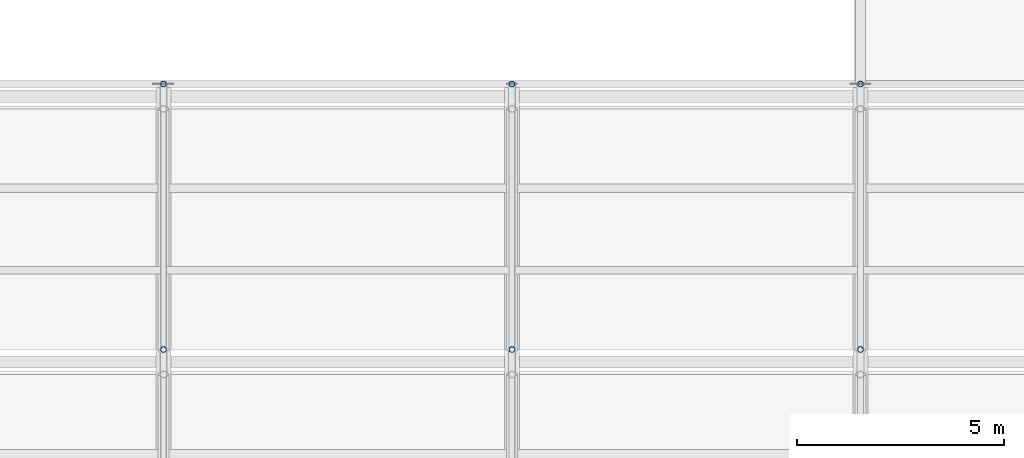
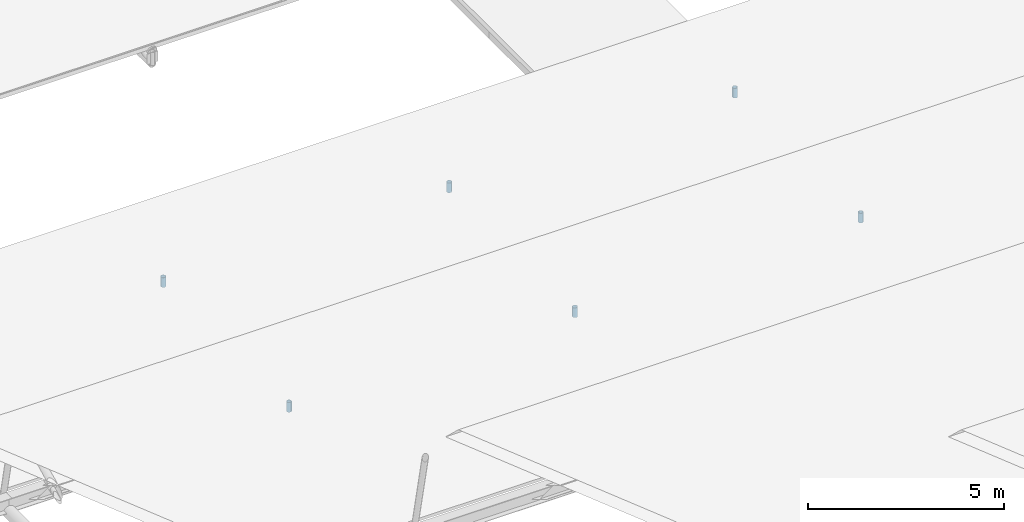
# One storey, part 125 of 194: 6 members.
"""IFC4 building model written with IfcOpenShell, lengths in metres."""

from ifc_helpers import new_model, si_unit, direction, frame, origin, origin_2d, place, context, subcontext, project, spatial, hollow_circle, extrude, material, material_profile, profile_set, type_object, element, save


model = new_model("IFC4")

# Units and contexts
model_context = context("Model", 3, precision=1e-05, world=origin(), true_north=direction((0.0, 1.0)))
body_context = subcontext(model_context, "Body", "Model", "MODEL_VIEW")
ifc_project = project(units=[si_unit("LENGTHUNIT", "METRE"), si_unit("AREAUNIT", "SQUARE_METRE"), si_unit("VOLUMEUNIT", "CUBIC_METRE"), si_unit("PLANEANGLEUNIT", "RADIAN"), si_unit("MASSUNIT", "GRAM", prefix="KILO")], contexts=[model_context])

# Site, building, storey
site_placement = place(None, origin())
site = spatial("IfcSite", under=ifc_project, at=site_placement, CompositionType="ELEMENT")
building_placement = place(site_placement, origin())
building = spatial("IfcBuilding", under=site, at=building_placement, Name="Kazenagashi Tramway Depot", CompositionType="ELEMENT")
storey_placement = place(building_placement, frame((0.0, 0.0, 23.7)))
storey = spatial("IfcBuildingStorey", under=building, at=storey_placement, Name="ROOF", CompositionType="ELEMENT", Elevation=23.7)

# Members
ifc_material = material(Name="Steel STK490", Category="steel")
ifc_material_profile = material_profile(ifc_material, hollow_circle(Radius=0.0699, WallThickness=0.0066, at=origin_2d()), Name="CHS-139.8x6.6")
ifc_profile_set = profile_set([ifc_material_profile], Name="Steel STK490")
member_type = type_object("IfcMemberType", Name="TS-02", PredefinedType="STRUT", material=ifc_profile_set)
for number, where, z_axis, x_axis, name in (
    (1, (70.0, 48.5, -8.9), (0.0, 0.0, 1.0), (1.0, 0.0, 0.0), "Roof Truss TS-02 MEM-1258"),
    (2, (70.0, 54.9, -8.9), (0.0, 0.0, 1.0), (1.0, 0.0, 0.0), "Roof Truss TS-02 MEM-1260"),
    (3, (78.4, 48.5, -8.9), (0.0, 0.0, 1.0), (1.0, 0.0, 0.0), "Roof Truss TS-02 MEM-1287"),
    (4, (78.4, 54.9, -8.9), (0.0, 0.0, 1.0), (1.0, 0.0, 0.0), "Roof Truss TS-02 MEM-1289"),
    (5, (86.8, 48.5, -8.9), (0.0, 0.0, 1.0), (1.0, 0.0, 0.0), "Roof Truss TS-02 MEM-1316"),
    (6, (86.8, 54.9, -8.9), (0.0, 0.0, 1.0), (1.0, 0.0, 0.0), "Roof Truss TS-02 MEM-1318"),
):
    element("IfcMember", number, at=place(storey_placement, frame(where, z_axis=z_axis, x_axis=x_axis)), inside=storey, type_object=member_type, Name=name, PredefinedType="STRUT", context=body_context, shape_type="SweptSolid", body=[
        extrude(hollow_circle(Radius=0.0699, WallThickness=0.0066, at=origin_2d()), origin(), (0.0, 0.0, 1.0), 0.3),
    ])

save(model, "model.ifc")
